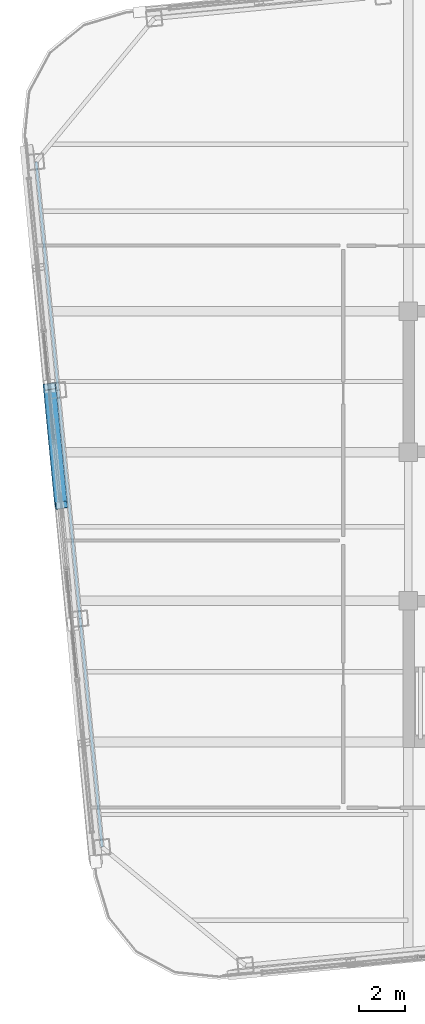
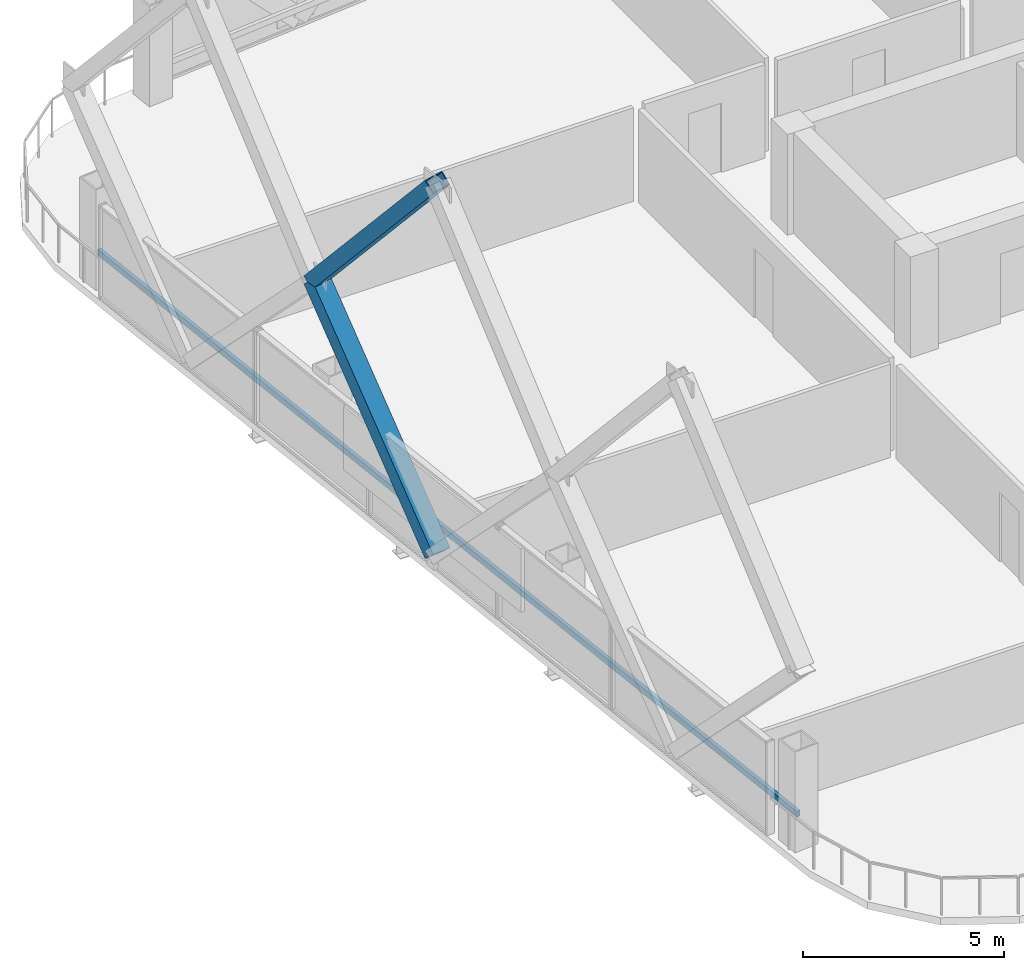
# One storey, part 10 of 34: 3 members.
"""IFC4 building model written with IfcOpenShell, lengths in metres."""

import ifcopenshell
import ifcopenshell.guid

model = None  # the IFC model being written
_history = None  # IfcOwnerHistory: only IFC2X3 demands one
_inside = {}  # id of a spatial element -> (the spatial element, [elements in it])
_under = {}  # id of a project, library or spatial element -> (it, [spatial elements below it])
_declared = {}  # id of a project -> (the project, [libraries it declares])
_typed = {}  # id of a type object -> (the type object, [elements of that type])
_made_of = {}  # id of a material, layer set ... -> (it, [elements and type objects made of it])


def new_model(schema):
    """Start an empty IFC model of exactly this schema.

    Asked for "IFC4X3", IfcOpenShell would pick the latest addendum, in which some entities
    have other attributes; the version numbers below select the first issue.
    IFC2X3 requires an IfcOwnerHistory on every rooted entity: one is made here for all.
    """
    global model, _history
    if schema == "IFC4X3":
        model = ifcopenshell.file(schema_version=(4, 3, 0, 0))
    else:
        model = ifcopenshell.file(schema=schema)
    _inside.clear()
    _under.clear()
    _declared.clear()
    _typed.clear()
    _made_of.clear()
    _history = None
    if model.schema == "IFC2X3":
        org = make("IfcOrganization", Name="unknown")
        user = make(
            "IfcPersonAndOrganization",
            ThePerson=make("IfcPerson", FamilyName="unknown"),
            TheOrganization=org,
        )
        app = make(
            "IfcApplication",
            ApplicationDeveloper=org,
            Version="unknown",
            ApplicationFullName="unknown",
            ApplicationIdentifier="unknown",
        )
        _history = make(
            "IfcOwnerHistory",
            OwningUser=user,
            OwningApplication=app,
            ChangeAction="ADDED",
            CreationDate=0,
        )
    return model


def make(cls, **values):
    """One entity of the class cls with the attributes given. An attribute that is None is left unset."""
    return model.create_entity(
        cls, **{name: value for name, value in values.items() if value is not None}
    )


def rooted(cls, **values):
    """An entity with a GlobalId (a new one), such as an element, a storey or a relation."""
    return make(cls, GlobalId=ifcopenshell.guid.new(), OwnerHistory=_history, **values)


def si_unit(unit_type, name, prefix=None):
    """IfcSIUnit, for example si_unit("LENGTHUNIT", "METRE", prefix="MILLI")."""
    return make("IfcSIUnit", UnitType=unit_type, Prefix=prefix, Name=name)


def assignment(units):
    """IfcUnitAssignment: the units of a project."""
    return None if units is None else make("IfcUnitAssignment", Units=units)


def point(xyz):
    """IfcCartesianPoint."""
    return None if xyz is None else make("IfcCartesianPoint", Coordinates=xyz)


def direction(xyz):
    """IfcDirection."""
    return None if xyz is None else make("IfcDirection", DirectionRatios=xyz)


def frame(location, z_axis=None, x_axis=None):
    """IfcAxis2Placement3D, a coordinate frame: its origin and axes. An axis left out is left unset."""
    return make(
        "IfcAxis2Placement3D",
        Location=point(location),
        Axis=direction(z_axis),
        RefDirection=direction(x_axis),
    )


def frame_2d(location, x_axis=None):
    """IfcAxis2Placement2D, a coordinate frame in the plane: its origin and x axis."""
    return make(
        "IfcAxis2Placement2D", Location=point(location), RefDirection=direction(x_axis)
    )


def origin():
    """The frame at (0, 0, 0) with its axes left unset."""
    return frame((0.0, 0.0, 0.0))


def origin_2d():
    """The frame at (0, 0) in the plane with its x axis left unset."""
    return frame_2d((0.0, 0.0))


def place(relative_to, where):
    """IfcLocalPlacement: puts the frame where relative to a parent placement (None: the world)."""
    return make(
        "IfcLocalPlacement", PlacementRelTo=relative_to, RelativePlacement=where
    )


def context(
    kind, dimensions, precision=None, world=None, true_north=None, identifier=None
):
    """IfcGeometricRepresentationContext, for example the 3D "Model" context."""
    return make(
        "IfcGeometricRepresentationContext",
        ContextIdentifier=identifier,
        ContextType=kind,
        CoordinateSpaceDimension=dimensions,
        Precision=precision,
        WorldCoordinateSystem=world,
        TrueNorth=true_north,
    )


def subcontext(parent, identifier, kind, view, scale=None):
    """IfcGeometricRepresentationSubContext, for example "Body" below "Model"."""
    return make(
        "IfcGeometricRepresentationSubContext",
        ContextIdentifier=identifier,
        ContextType=kind,
        ParentContext=parent,
        TargetScale=scale,
        TargetView=view,
    )


def project(units=None, contexts=None):
    """IfcProject with its units and contexts."""
    return rooted(
        "IfcProject",
        Name="project",
        RepresentationContexts=contexts,
        UnitsInContext=assignment(units),
    )


def spatial(cls, under=None, at=None, **own):
    """A site, building, storey or space (cls), placed at a placement, below another one or the project."""
    s = rooted(cls, ObjectPlacement=at, **own)
    if under is not None:
        _under.setdefault(under.id(), (under, []))[1].append(s)
    return s


def profile(cls, at=None, kind="AREA", **sizes):
    """A parametric profile (cls). Its sizes go by their IFC names, for example OverallWidth=200.0."""
    return make(cls, ProfileType=kind, Position=at, **sizes)


def hollow_rectangle(**sizes):
    """IfcRectangleHollowProfileDef."""
    return profile("IfcRectangleHollowProfileDef", **sizes)


def extrude(swept, where, along, depth):
    """IfcExtrudedAreaSolid: the profile swept, set in the frame where, extruded along a direction by depth."""
    return make(
        "IfcExtrudedAreaSolid",
        SweptArea=swept,
        Position=where,
        ExtrudedDirection=direction(along),
        Depth=depth,
    )


def shape(context_of_items, identifier, shape_type, items):
    """IfcShapeRepresentation: the items that make up one representation, for example the "Body"."""
    return make(
        "IfcShapeRepresentation",
        ContextOfItems=context_of_items,
        RepresentationIdentifier=identifier,
        RepresentationType=shape_type,
        Items=items,
    )


def material(Name=None, Category=None):
    """IfcMaterial."""
    return make("IfcMaterial", Name=Name, Category=Category)


def material_profile(
    of_material, cross_section, Name=None, Category=None, Priority=None
):
    """IfcMaterialProfile: a cross section and its material."""
    return make(
        "IfcMaterialProfile",
        Name=Name,
        Material=of_material,
        Profile=cross_section,
        Priority=Priority,
        Category=Category,
    )


def profile_set(profiles, Name=None, composite=None):
    """IfcMaterialProfileSet."""
    return make(
        "IfcMaterialProfileSet",
        Name=Name,
        MaterialProfiles=profiles,
        CompositeProfile=composite,
    )


def made_of(thing, what):
    """Note that an element or type object is made of a material, layer set ...; save() writes the relation."""
    if what is not None:
        _made_of.setdefault(what.id(), (what, []))[1].append(thing)
    return thing


def type_object(cls, material=None, **own):
    """A type object (cls), such as IfcWallType, which elements share."""
    return made_of(rooted(cls, **own), material)


def element(
    cls,
    number,
    at=None,
    inside=None,
    cuts=None,
    type_object=None,
    material=None,
    context=None,
    identifier="Body",
    shape_type=None,
    held_by="IfcProductDefinitionShape",
    body=None,
    shapes=None,
    **own,
):
    """One element of the class cls, such as IfcWall. Its Tag is "e" and its number.

    at: its placement. inside: the storey or other place that contains it. cuts: it is an
    opening in that element (IfcRelVoidsElement). A single representation is given by context,
    identifier, shape_type and body (its items); several are given by shapes. held_by: the class
    of the entity that holds the representations. save() writes the other relations.
    """
    e = rooted(cls, Tag="e%d" % number, ObjectPlacement=at, **own)
    if body is not None:
        shapes = [shape(context, identifier, shape_type, body)]
    if shapes is not None:
        e.Representation = make(held_by, Representations=shapes)
    if inside is not None:
        _inside.setdefault(inside.id(), (inside, []))[1].append(e)
    if cuts is not None:
        rooted(
            "IfcRelVoidsElement", RelatingBuildingElement=cuts, RelatedOpeningElement=e
        )
    if type_object is not None:
        _typed.setdefault(type_object.id(), (type_object, []))[1].append(e)
    return made_of(e, material)


def aggregate(whole, parts):
    """IfcRelAggregates: a whole, such as a stair, and the parts it consists of."""
    return rooted("IfcRelAggregates", RelatingObject=whole, RelatedObjects=parts)


def save(model, path):
    """Write the relations noted so far, then the file.

    IfcRelAggregates (storeys below a building ...), IfcRelContainedInSpatialStructure (elements
    in a storey), IfcRelDefinesByType, IfcRelAssociatesMaterial and IfcRelDeclares: one each for
    every whole, place, type object, material and project.
    """
    for whole, parts in _under.values():
        aggregate(whole, parts)
    for where, things in _inside.values():
        rooted(
            "IfcRelContainedInSpatialStructure",
            RelatedElements=things,
            RelatingStructure=where,
        )
    for kind, things in _typed.values():
        rooted("IfcRelDefinesByType", RelatedObjects=things, RelatingType=kind)
    for what, things in _made_of.values():
        rooted("IfcRelAssociatesMaterial", RelatedObjects=things, RelatingMaterial=what)
    for by, libraries in _declared.values():
        rooted("IfcRelDeclares", RelatingContext=by, RelatedDefinitions=libraries)
    model.write(path)


model = new_model("IFC4")

# Units and contexts
model_context = context("Model", 3, precision=1e-05, world=origin(), true_north=direction((0.0, 1.0)))
body_context = subcontext(model_context, "Body", "Model", "MODEL_VIEW")
ifc_project = project(units=[si_unit("LENGTHUNIT", "METRE"), si_unit("AREAUNIT", "SQUARE_METRE"), si_unit("VOLUMEUNIT", "CUBIC_METRE"), si_unit("PLANEANGLEUNIT", "RADIAN"), si_unit("MASSUNIT", "GRAM", prefix="KILO")], contexts=[model_context])

# Site, building, storey
site_placement = place(None, origin())
site = spatial("IfcSite", under=ifc_project, at=site_placement, CompositionType="ELEMENT")
building_placement = place(site_placement, origin())
building = spatial("IfcBuilding", under=site, at=building_placement, Name="Qhalaya Broadcast Tower", CompositionType="ELEMENT")
storey_placement = place(building_placement, frame((0.0, 0.0, 168.35009765625)))
storey = spatial("IfcBuildingStorey", under=building, at=storey_placement, Name="L49", CompositionType="ELEMENT", Elevation=168.35009765625)

# Members
ifc_material_1 = material(Name="Structural Steel ASTM A572 Grade 50", Category="steel")
ifc_material_profile_1 = material_profile(ifc_material_1, hollow_rectangle(XDim=0.39990234375, YDim=0.550048828125, WallThickness=0.02490234375, at=origin_2d()), Name="BOX 400x550x25")
ifc_profile_set_1 = profile_set([ifc_material_profile_1], Name="Structural Steel ASTM A572 Grade 50")
member_type_1 = type_object("IfcMemberType", Name="Exoskeleton Diamond Diagonal Mid-High EX3", PredefinedType="BRACE", material=ifc_profile_set_1)
member_1_placement = place(storey_placement, frame((-24.433349609375, 1.5283203125, 0.35986328125), z_axis=(-0.066502760768, 0.690615647814, 0.72015790616), x_axis=(0.164114880845, -0.704354882738, 0.690616033009)))
element("IfcMember", 1, at=member_1_placement, inside=storey, type_object=member_type_1, Name="B4 Exoskeleton Diamond Brace W2-D1", PredefinedType="BRACE", context=body_context, shape_type="SweptSolid", body=[
    extrude(hollow_rectangle(XDim=0.39990234375, YDim=0.550048828125, WallThickness=0.02490234375, at=origin_2d()), origin(), (0.0, 0.0, 1.0), 7.470703125),
])
member_2_placement = place(storey_placement, frame((-24.93017578125, 6.687744140625, 5.739990234375), z_axis=(0.063505717979, -0.659492058015, 0.749024198007), x_axis=(-0.166869020586, 0.73295598109, 0.65949242585)))
element("IfcMember", 2, at=member_2_placement, inside=storey, type_object=member_type_1, Name="B4 Exoskeleton Diamond Brace W2-D3", PredefinedType="BRACE", context=body_context, shape_type="SweptSolid", body=[
    extrude(hollow_rectangle(XDim=0.39990234375, YDim=0.550048828125, WallThickness=0.02490234375, at=origin_2d()), origin(), (0.0, 0.0, 1.0), 7.8232421875),
])
ifc_material_2 = material(Name="Fired Architectural Terracotta", Category="masonry")
ifc_material_profile_2 = material_profile(ifc_material_2, hollow_rectangle(XDim=0.110107421875, YDim=0.179931640625, WallThickness=0.01806640625, at=origin_2d()), Name="TB-BAG 110x180x18")
ifc_profile_set_2 = profile_set([ifc_material_profile_2], Name="Fired Architectural Terracotta")
member_type_2 = type_object("IfcMemberType", Name="Fired Terracotta Facade Baguette Member TB1", PredefinedType="USERDEFINED", material=ifc_profile_set_2)
member_3_placement = place(storey_placement, frame((-25.52783203125, 16.44189453125, 0.848876953125), z_axis=(0.095844031643, -0.995396364067, 0.0), x_axis=(0.995396364067, 0.095844031643, 0.0)))
element("IfcMember", 3, at=member_3_placement, inside=storey, type_object=member_type_2, Name="L49 Terracotta Baguette Feature Rail W", ObjectType="BAGUETTE", PredefinedType="USERDEFINED", context=body_context, shape_type="SweptSolid", body=[
    extrude(hollow_rectangle(XDim=0.110107421875, YDim=0.179931640625, WallThickness=0.01806640625, at=origin_2d()), origin(), (0.0, 0.0, 1.0), 29.89990234375),
])

save(model, "model.ifc")
